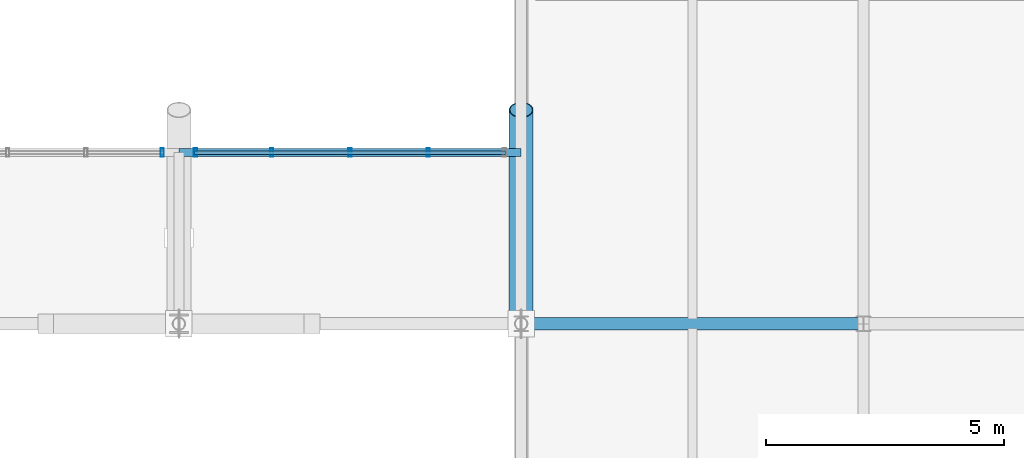
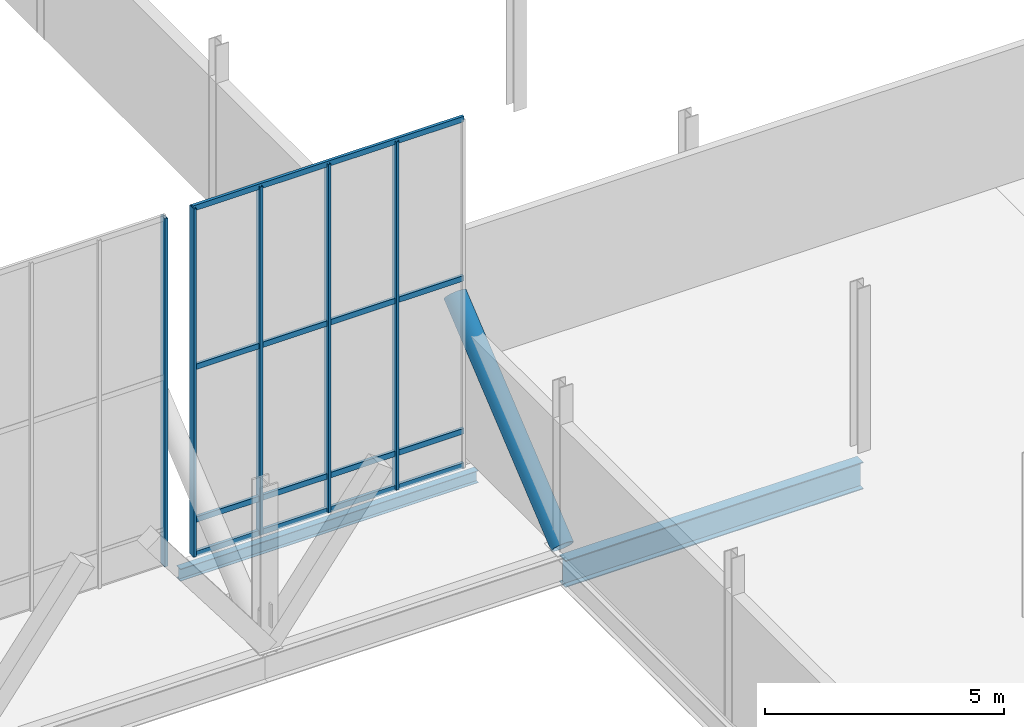
# One storey, part 53 of 102: 10 members, 2 beams, 2 elements without a shape of their own.
"""IFC4 building model written with IfcOpenShell, lengths in metres."""

from ifc_helpers import new_model, si_unit, direction, frame, origin, origin_2d, place, context, subcontext, project, spatial, hollow_rectangle, hollow_circle, i_section, extrude, material, material_profile, profile_set, type_object, element, aggregate, save


model = new_model("IFC4")

# Units and contexts
model_context = context("Model", 3, precision=1e-05, world=origin(), true_north=direction((0.0, 1.0)))
body_context = subcontext(model_context, "Body", "Model", "MODEL_VIEW")
ifc_project = project(units=[si_unit("LENGTHUNIT", "METRE"), si_unit("AREAUNIT", "SQUARE_METRE"), si_unit("VOLUMEUNIT", "CUBIC_METRE"), si_unit("PLANEANGLEUNIT", "RADIAN"), si_unit("MASSUNIT", "GRAM", prefix="KILO")], contexts=[model_context])

# Site, building, storey
site_placement = place(None, origin())
site = spatial("IfcSite", under=ifc_project, at=site_placement, CompositionType="ELEMENT")
building_placement = place(site_placement, origin())
building = spatial("IfcBuilding", under=site, at=building_placement, Name="Yarey Park Central Fire Station", CompositionType="ELEMENT")
storey_placement = place(building_placement, frame((0.0, 0.0, 6.0)))
storey = spatial("IfcBuildingStorey", under=building, at=storey_placement, Name="L02", CompositionType="ELEMENT", Elevation=6.0)

# Curtain wall, member
ifc_material_1 = material(Name="Anodized Aluminium Frame", Category="aluminium")
curtain_wall_type = type_object("IfcCurtainWallType", Name="ENV_CW_CLER_9M", PredefinedType="NOTDEFINED", material=ifc_material_1)
curtain_wall_1_placement = place(storey_placement, origin())
curtain_wall_1 = element("IfcCurtainWall", 1, at=curtain_wall_1_placement, inside=storey, type_object=curtain_wall_type, Name="CW_V2_CLER_S_10", PredefinedType="NOTDEFINED")
ifc_material_profile_1 = material_profile(ifc_material_1, hollow_rectangle(XDim=0.070068359375, YDim=0.179931640625, WallThickness=0.00390625, at=origin_2d()), Name="ALU 180x70x4")
ifc_profile_set_1 = profile_set([ifc_material_profile_1], Name="Anodized Aluminium Frame")
member_type_1 = type_object("IfcMemberType", Name="ENV_CW_MULLION", PredefinedType="MULLION", material=ifc_profile_set_1)
member_1_placement = place(storey_placement, frame((129.25, 61.199951171875, 0.0), z_axis=(0.0, 0.0, 1.0), x_axis=(1.0, 0.0, 0.0)))
member_1 = element("IfcMember", 2, at=member_1_placement, type_object=member_type_1, Name="CW_V2_CLER_S_10_MUL5", PredefinedType="MULLION", context=body_context, shape_type="SweptSolid", body=[
    extrude(hollow_rectangle(XDim=0.070068359375, YDim=0.179931640625, WallThickness=0.00390625, at=origin_2d()), origin(), (0.0, 0.0, 1.0), 8.89990234375),
])
aggregate(curtain_wall_1, [member_1])

# Curtain wall, members
curtain_wall_2_placement = place(storey_placement, origin())
curtain_wall_2 = element("IfcCurtainWall", 3, at=curtain_wall_2_placement, inside=storey, type_object=curtain_wall_type, Name="CW_V2_CLER_S_11", PredefinedType="NOTDEFINED")
member_2_placement = place(storey_placement, frame((129.949951171875, 61.199951171875, 0.0), z_axis=(0.0, 0.0, 1.0), x_axis=(1.0, 0.0, 0.0)))
member_2 = element("IfcMember", 4, at=member_2_placement, type_object=member_type_1, Name="CW_V2_CLER_S_11_MUL1", PredefinedType="MULLION", context=body_context, shape_type="SweptSolid", body=[
    extrude(hollow_rectangle(XDim=0.070068359375, YDim=0.179931640625, WallThickness=0.00390625, at=origin_2d()), origin(), (0.0, 0.0, 1.0), 8.89990234375),
])
member_3_placement = place(storey_placement, frame((131.554931640625, 61.199951171875, 0.0), z_axis=(0.0, 0.0, 1.0), x_axis=(1.0, 0.0, 0.0)))
member_3 = element("IfcMember", 5, at=member_3_placement, type_object=member_type_1, Name="CW_V2_CLER_S_11_MUL2", PredefinedType="MULLION", context=body_context, shape_type="SweptSolid", body=[
    extrude(hollow_rectangle(XDim=0.070068359375, YDim=0.179931640625, WallThickness=0.00390625, at=origin_2d()), origin(), (0.0, 0.0, 1.0), 8.89990234375),
])
member_4_placement = place(storey_placement, frame((133.199951171875, 61.199951171875, 0.0), z_axis=(0.0, 0.0, 1.0), x_axis=(1.0, 0.0, 0.0)))
member_4 = element("IfcMember", 6, at=member_4_placement, type_object=member_type_1, Name="CW_V2_CLER_S_11_MUL3", PredefinedType="MULLION", context=body_context, shape_type="SweptSolid", body=[
    extrude(hollow_rectangle(XDim=0.070068359375, YDim=0.179931640625, WallThickness=0.00390625, at=origin_2d()), origin(), (0.0, 0.0, 1.0), 8.89990234375),
])
member_5_placement = place(storey_placement, frame((134.844970703125, 61.199951171875, 0.0), z_axis=(0.0, 0.0, 1.0), x_axis=(1.0, 0.0, 0.0)))
member_5 = element("IfcMember", 7, at=member_5_placement, type_object=member_type_1, Name="CW_V2_CLER_S_11_MUL4", PredefinedType="MULLION", context=body_context, shape_type="SweptSolid", body=[
    extrude(hollow_rectangle(XDim=0.070068359375, YDim=0.179931640625, WallThickness=0.00390625, at=origin_2d()), origin(), (0.0, 0.0, 1.0), 8.89990234375),
])
ifc_material_profile_2 = material_profile(ifc_material_1, hollow_rectangle(XDim=0.070068359375, YDim=0.139892578125, WallThickness=0.00390625, at=origin_2d()), Name="ALU 140x70x4")
ifc_profile_set_2 = profile_set([ifc_material_profile_2], Name="Anodized Aluminium Frame")
member_type_2 = type_object("IfcMemberType", Name="ENV_CW_TRANSOM", PredefinedType="USERDEFINED", material=ifc_profile_set_2)
member_6_placement = place(storey_placement, frame((129.925048828125, 61.199951171875, 0.02490234375), z_axis=(1.0, 0.0, 0.0), x_axis=(0.0, 1.0, 0.0)))
member_6 = element("IfcMember", 8, at=member_6_placement, type_object=member_type_2, Name="CW_V2_CLER_S_11_TRN1", ObjectType="TRANSOM", PredefinedType="USERDEFINED", context=body_context, shape_type="SweptSolid", body=[
    extrude(hollow_rectangle(XDim=0.070068359375, YDim=0.139892578125, WallThickness=0.00390625, at=origin_2d()), origin(), (0.0, 0.0, 1.0), 6.550048828125),
])
member_7_placement = place(storey_placement, frame((129.925048828125, 61.199951171875, 0.89990234375), z_axis=(1.0, 0.0, 0.0), x_axis=(0.0, 1.0, 0.0)))
member_7 = element("IfcMember", 9, at=member_7_placement, type_object=member_type_2, Name="CW_V2_CLER_S_11_TRN2", ObjectType="TRANSOM", PredefinedType="USERDEFINED", context=body_context, shape_type="SweptSolid", body=[
    extrude(hollow_rectangle(XDim=0.070068359375, YDim=0.139892578125, WallThickness=0.00390625, at=origin_2d()), origin(), (0.0, 0.0, 1.0), 6.550048828125),
])
member_8_placement = place(storey_placement, frame((129.925048828125, 61.199951171875, 4.805908203125), z_axis=(1.0, 0.0, 0.0), x_axis=(0.0, 1.0, 0.0)))
member_8 = element("IfcMember", 10, at=member_8_placement, type_object=member_type_2, Name="CW_V2_CLER_S_11_TRN3", ObjectType="TRANSOM", PredefinedType="USERDEFINED", context=body_context, shape_type="SweptSolid", body=[
    extrude(hollow_rectangle(XDim=0.070068359375, YDim=0.139892578125, WallThickness=0.00390625, at=origin_2d()), origin(), (0.0, 0.0, 1.0), 6.550048828125),
])
member_9_placement = place(storey_placement, frame((129.925048828125, 61.199951171875, 8.875), z_axis=(1.0, 0.0, 0.0), x_axis=(0.0, 1.0, 0.0)))
member_9 = element("IfcMember", 11, at=member_9_placement, type_object=member_type_2, Name="CW_V2_CLER_S_11_TRN4", ObjectType="TRANSOM", PredefinedType="USERDEFINED", context=body_context, shape_type="SweptSolid", body=[
    extrude(hollow_rectangle(XDim=0.070068359375, YDim=0.139892578125, WallThickness=0.00390625, at=origin_2d()), origin(), (0.0, 0.0, 1.0), 6.550048828125),
])
aggregate(curtain_wall_2, [member_2, member_3, member_4, member_5, member_6, member_7, member_8, member_9])

# Beam
ifc_material_2 = material(Name="Steel ASTM A992 Gr. 50", Category="steel")
ifc_material_profile_3 = material_profile(ifc_material_2, i_section(OverallWidth=0.256103515625, OverallDepth=0.693115234375, WebThickness=0.014404296875, FlangeThickness=0.023681640625, at=origin_2d()), Name="W690x170")
ifc_profile_set_3 = profile_set([ifc_material_profile_3], Name="Steel ASTM A992 Gr. 50")
beam_type_1 = type_object("IfcBeamType", Name="STR_BM_W690", PredefinedType="BEAM", material=ifc_profile_set_3)
beam_1_placement = place(storey_placement, frame((136.800048828125, 57.60009765625, -0.631591796875), z_axis=(1.0, 0.0, 0.0), x_axis=(0.0, 1.0, 0.0)))
element("IfcBeam", 12, at=beam_1_placement, inside=storey, type_object=beam_type_1, Name="BMX L02 Y576 X1368", PredefinedType="BEAM", context=body_context, shape_type="SweptSolid", body=[
    extrude(i_section(OverallWidth=0.256103515625, OverallDepth=0.693115234375, WebThickness=0.014404296875, FlangeThickness=0.023681640625, at=origin_2d()), origin(), (0.0, 0.0, 1.0), 7.199951171875),
])

# Member
ifc_material_3 = material(Name="Steel ASTM A500 Gr. C", Category="steel")
ifc_material_profile_4 = material_profile(ifc_material_3, hollow_circle(Radius=0.25390625, WallThickness=0.02001953125, at=origin_2d()), Name="CHS 508x20")
ifc_profile_set_4 = profile_set([ifc_material_profile_4], Name="Steel ASTM A500 Gr. C")
member_type_3 = type_object("IfcMemberType", Name="STR_CHORD_CHS508", PredefinedType="CHORD", material=ifc_profile_set_4)
member_10_placement = place(storey_placement, frame((136.800048828125, 57.60009765625, 0.0), z_axis=(0.0, 0.770847459396, 0.637019775473), x_axis=(-1.0, 0.0, 0.0)))
element("IfcMember", 13, at=member_10_placement, inside=storey, type_object=member_type_3, Name="Arched Roof Truss ART_12 Bottom Chord 1", PredefinedType="CHORD", context=body_context, shape_type="SweptSolid", body=[
    extrude(hollow_circle(Radius=0.25390625, WallThickness=0.02001953125, at=origin_2d()), origin(), (0.0, 0.0, 1.0), 5.837646484375),
])

# Beam
ifc_material_profile_5 = material_profile(ifc_material_2, i_section(OverallWidth=0.1650390625, OverallDepth=0.31005859375, WebThickness=0.005859375, FlangeThickness=0.009765625, at=origin_2d()), Name="W310x39")
ifc_profile_set_5 = profile_set([ifc_material_profile_5], Name="Steel ASTM A992 Gr. 50")
beam_type_2 = type_object("IfcBeamType", Name="STR_SPN_W310", PredefinedType="SPANDREL", material=ifc_profile_set_5)
beam_2_placement = place(storey_placement, frame((129.60009765625, 61.199951171875, -0.35009765625), z_axis=(1.0, 0.0, 0.0), x_axis=(0.0, 1.0, 0.0)))
element("IfcBeam", 14, at=beam_2_placement, inside=storey, type_object=beam_type_2, Name="EAVE EDG S 10", PredefinedType="SPANDREL", context=body_context, shape_type="SweptSolid", body=[
    extrude(i_section(OverallWidth=0.1650390625, OverallDepth=0.31005859375, WebThickness=0.005859375, FlangeThickness=0.009765625, at=origin_2d()), origin(), (0.0, 0.0, 1.0), 7.199951171875),
])

save(model, "model.ifc")
